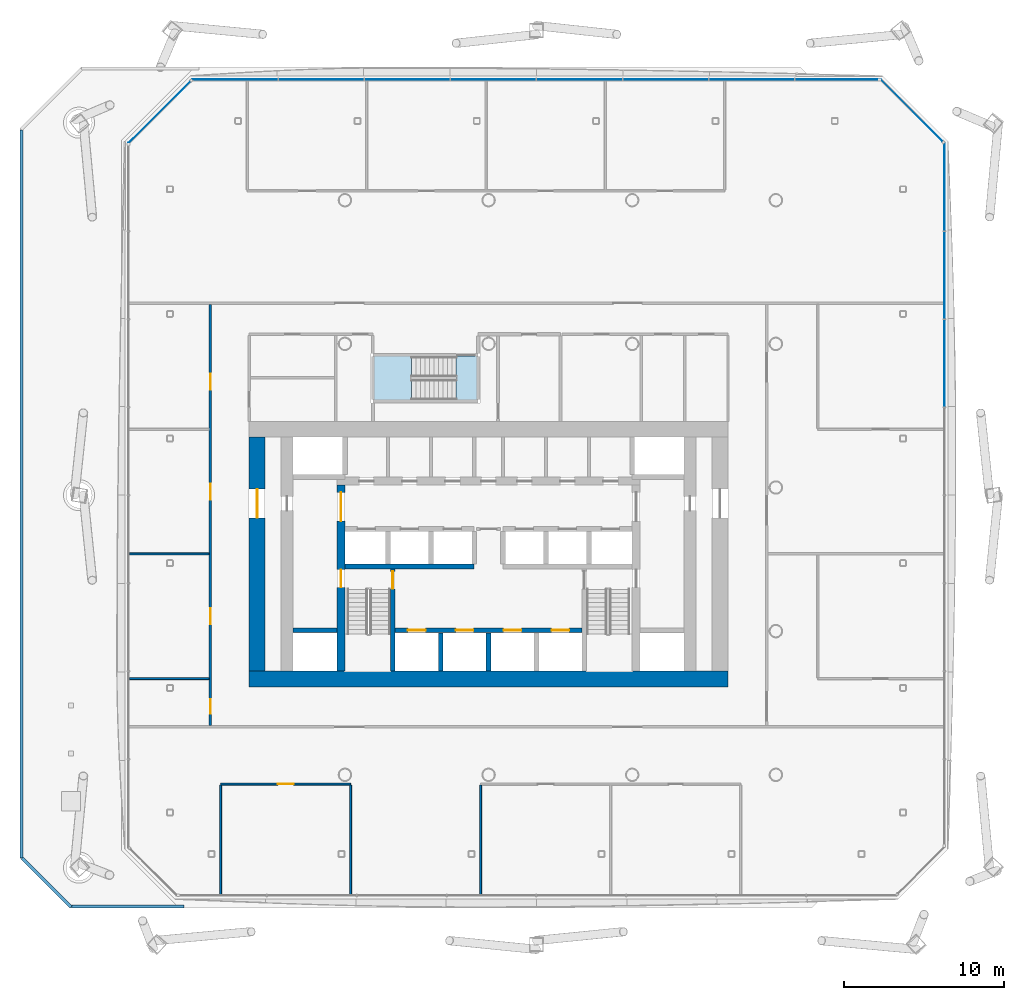
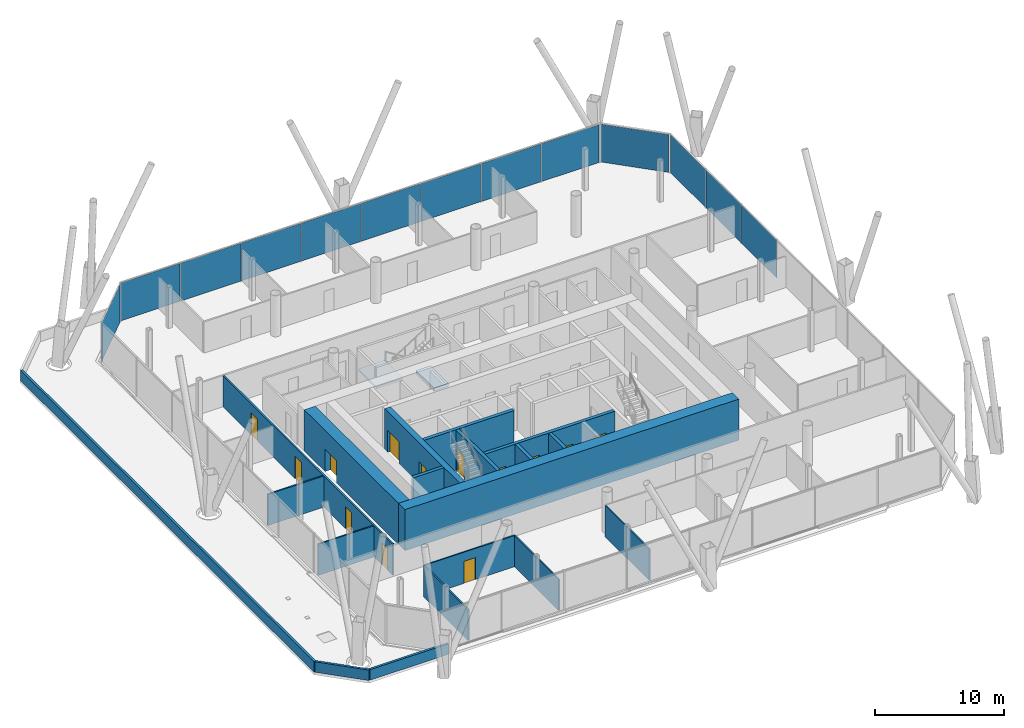
# One storey, part 13 of 23: 19 walls, 13 doors, 13 plates, 2 slabs, 13 openings, 5 elements without a shape of their own.
"""IFC4 building model written with IfcOpenShell, lengths in metres."""

import ifcopenshell
import ifcopenshell.guid

model = None  # the IFC model being written
_history = None  # IfcOwnerHistory: only IFC2X3 demands one
_inside = {}  # id of a spatial element -> (the spatial element, [elements in it])
_under = {}  # id of a project, library or spatial element -> (it, [spatial elements below it])
_declared = {}  # id of a project -> (the project, [libraries it declares])
_typed = {}  # id of a type object -> (the type object, [elements of that type])
_made_of = {}  # id of a material, layer set ... -> (it, [elements and type objects made of it])


def new_model(schema):
    """Start an empty IFC model of exactly this schema.

    Asked for "IFC4X3", IfcOpenShell would pick the latest addendum, in which some entities
    have other attributes; the version numbers below select the first issue.
    IFC2X3 requires an IfcOwnerHistory on every rooted entity: one is made here for all.
    """
    global model, _history
    if schema == "IFC4X3":
        model = ifcopenshell.file(schema_version=(4, 3, 0, 0))
    else:
        model = ifcopenshell.file(schema=schema)
    _inside.clear()
    _under.clear()
    _declared.clear()
    _typed.clear()
    _made_of.clear()
    _history = None
    if model.schema == "IFC2X3":
        org = make("IfcOrganization", Name="unknown")
        user = make(
            "IfcPersonAndOrganization",
            ThePerson=make("IfcPerson", FamilyName="unknown"),
            TheOrganization=org,
        )
        app = make(
            "IfcApplication",
            ApplicationDeveloper=org,
            Version="unknown",
            ApplicationFullName="unknown",
            ApplicationIdentifier="unknown",
        )
        _history = make(
            "IfcOwnerHistory",
            OwningUser=user,
            OwningApplication=app,
            ChangeAction="ADDED",
            CreationDate=0,
        )
    return model


def make(cls, **values):
    """One entity of the class cls with the attributes given. An attribute that is None is left unset."""
    return model.create_entity(
        cls, **{name: value for name, value in values.items() if value is not None}
    )


def rooted(cls, **values):
    """An entity with a GlobalId (a new one), such as an element, a storey or a relation."""
    return make(cls, GlobalId=ifcopenshell.guid.new(), OwnerHistory=_history, **values)


def si_unit(unit_type, name, prefix=None):
    """IfcSIUnit, for example si_unit("LENGTHUNIT", "METRE", prefix="MILLI")."""
    return make("IfcSIUnit", UnitType=unit_type, Prefix=prefix, Name=name)


def assignment(units):
    """IfcUnitAssignment: the units of a project."""
    return None if units is None else make("IfcUnitAssignment", Units=units)


def point(xyz):
    """IfcCartesianPoint."""
    return None if xyz is None else make("IfcCartesianPoint", Coordinates=xyz)


def direction(xyz):
    """IfcDirection."""
    return None if xyz is None else make("IfcDirection", DirectionRatios=xyz)


def frame(location, z_axis=None, x_axis=None):
    """IfcAxis2Placement3D, a coordinate frame: its origin and axes. An axis left out is left unset."""
    return make(
        "IfcAxis2Placement3D",
        Location=point(location),
        Axis=direction(z_axis),
        RefDirection=direction(x_axis),
    )


def frame_2d(location, x_axis=None):
    """IfcAxis2Placement2D, a coordinate frame in the plane: its origin and x axis."""
    return make(
        "IfcAxis2Placement2D", Location=point(location), RefDirection=direction(x_axis)
    )


def origin():
    """The frame at (0, 0, 0) with its axes left unset."""
    return frame((0.0, 0.0, 0.0))


def origin_2d():
    """The frame at (0, 0) in the plane with its x axis left unset."""
    return frame_2d((0.0, 0.0))


def place(relative_to, where):
    """IfcLocalPlacement: puts the frame where relative to a parent placement (None: the world)."""
    return make(
        "IfcLocalPlacement", PlacementRelTo=relative_to, RelativePlacement=where
    )


def context(
    kind, dimensions, precision=None, world=None, true_north=None, identifier=None
):
    """IfcGeometricRepresentationContext, for example the 3D "Model" context."""
    return make(
        "IfcGeometricRepresentationContext",
        ContextIdentifier=identifier,
        ContextType=kind,
        CoordinateSpaceDimension=dimensions,
        Precision=precision,
        WorldCoordinateSystem=world,
        TrueNorth=true_north,
    )


def subcontext(parent, identifier, kind, view, scale=None):
    """IfcGeometricRepresentationSubContext, for example "Body" below "Model"."""
    return make(
        "IfcGeometricRepresentationSubContext",
        ContextIdentifier=identifier,
        ContextType=kind,
        ParentContext=parent,
        TargetScale=scale,
        TargetView=view,
    )


def project(units=None, contexts=None):
    """IfcProject with its units and contexts."""
    return rooted(
        "IfcProject",
        Name="project",
        RepresentationContexts=contexts,
        UnitsInContext=assignment(units),
    )


def spatial(cls, under=None, at=None, **own):
    """A site, building, storey or space (cls), placed at a placement, below another one or the project."""
    s = rooted(cls, ObjectPlacement=at, **own)
    if under is not None:
        _under.setdefault(under.id(), (under, []))[1].append(s)
    return s


def polyline(points):
    """IfcPolyline through the points."""
    return make("IfcPolyline", Points=[point(p) for p in points])


def profile(cls, at=None, kind="AREA", **sizes):
    """A parametric profile (cls). Its sizes go by their IFC names, for example OverallWidth=200.0."""
    return make(cls, ProfileType=kind, Position=at, **sizes)


def rectangle(**sizes):
    """IfcRectangleProfileDef."""
    return profile("IfcRectangleProfileDef", **sizes)


def outline(outer, holes=None, kind="AREA"):
    """IfcArbitraryClosedProfileDef: a profile drawn as a closed curve; with holes, ...WithVoids."""
    if holes is None:
        return make("IfcArbitraryClosedProfileDef", ProfileType=kind, OuterCurve=outer)
    return make(
        "IfcArbitraryProfileDefWithVoids",
        ProfileType=kind,
        OuterCurve=outer,
        InnerCurves=holes,
    )


def extrude(swept, where, along, depth):
    """IfcExtrudedAreaSolid: the profile swept, set in the frame where, extruded along a direction by depth."""
    return make(
        "IfcExtrudedAreaSolid",
        SweptArea=swept,
        Position=where,
        ExtrudedDirection=direction(along),
        Depth=depth,
    )


def shape(context_of_items, identifier, shape_type, items):
    """IfcShapeRepresentation: the items that make up one representation, for example the "Body"."""
    return make(
        "IfcShapeRepresentation",
        ContextOfItems=context_of_items,
        RepresentationIdentifier=identifier,
        RepresentationType=shape_type,
        Items=items,
    )


def material(Name=None, Category=None):
    """IfcMaterial."""
    return make("IfcMaterial", Name=Name, Category=Category)


def layer(
    of_material, thickness, ventilated=None, Name=None, Category=None, Priority=None
):
    """IfcMaterialLayer: one layer of a wall or slab, of a material (None: an air gap)."""
    return make(
        "IfcMaterialLayer",
        Material=of_material,
        LayerThickness=thickness,
        IsVentilated=ventilated,
        Name=Name,
        Category=Category,
        Priority=Priority,
    )


def layer_set(layers, Name=None):
    """IfcMaterialLayerSet."""
    return make("IfcMaterialLayerSet", MaterialLayers=layers, LayerSetName=Name)


def made_of(thing, what):
    """Note that an element or type object is made of a material, layer set ...; save() writes the relation."""
    if what is not None:
        _made_of.setdefault(what.id(), (what, []))[1].append(thing)
    return thing


def type_object(cls, material=None, **own):
    """A type object (cls), such as IfcWallType, which elements share."""
    return made_of(rooted(cls, **own), material)


def element(
    cls,
    number,
    at=None,
    inside=None,
    cuts=None,
    type_object=None,
    material=None,
    context=None,
    identifier="Body",
    shape_type=None,
    held_by="IfcProductDefinitionShape",
    body=None,
    shapes=None,
    **own,
):
    """One element of the class cls, such as IfcWall. Its Tag is "e" and its number.

    at: its placement. inside: the storey or other place that contains it. cuts: it is an
    opening in that element (IfcRelVoidsElement). A single representation is given by context,
    identifier, shape_type and body (its items); several are given by shapes. held_by: the class
    of the entity that holds the representations. save() writes the other relations.
    """
    e = rooted(cls, Tag="e%d" % number, ObjectPlacement=at, **own)
    if body is not None:
        shapes = [shape(context, identifier, shape_type, body)]
    if shapes is not None:
        e.Representation = make(held_by, Representations=shapes)
    if inside is not None:
        _inside.setdefault(inside.id(), (inside, []))[1].append(e)
    if cuts is not None:
        rooted(
            "IfcRelVoidsElement", RelatingBuildingElement=cuts, RelatedOpeningElement=e
        )
    if type_object is not None:
        _typed.setdefault(type_object.id(), (type_object, []))[1].append(e)
    return made_of(e, material)


def fill(opening, filler):
    """IfcRelFillsElement: the door or window that sits in an opening."""
    return rooted(
        "IfcRelFillsElement",
        RelatingOpeningElement=opening,
        RelatedBuildingElement=filler,
    )


def aggregate(whole, parts):
    """IfcRelAggregates: a whole, such as a stair, and the parts it consists of."""
    return rooted("IfcRelAggregates", RelatingObject=whole, RelatedObjects=parts)


def save(model, path):
    """Write the relations noted so far, then the file.

    IfcRelAggregates (storeys below a building ...), IfcRelContainedInSpatialStructure (elements
    in a storey), IfcRelDefinesByType, IfcRelAssociatesMaterial and IfcRelDeclares: one each for
    every whole, place, type object, material and project.
    """
    for whole, parts in _under.values():
        aggregate(whole, parts)
    for where, things in _inside.values():
        rooted(
            "IfcRelContainedInSpatialStructure",
            RelatedElements=things,
            RelatingStructure=where,
        )
    for kind, things in _typed.values():
        rooted("IfcRelDefinesByType", RelatedObjects=things, RelatingType=kind)
    for what, things in _made_of.values():
        rooted("IfcRelAssociatesMaterial", RelatedObjects=things, RelatingMaterial=what)
    for by, libraries in _declared.values():
        rooted("IfcRelDeclares", RelatingContext=by, RelatedDefinitions=libraries)
    model.write(path)


model = new_model("IFC4")

# Units and contexts
model_context = context("Model", 3, precision=1e-05, world=origin(), true_north=direction((0.0, 1.0)))
body_context = subcontext(model_context, "Body", "Model", "MODEL_VIEW")
ifc_project = project(units=[si_unit("LENGTHUNIT", "METRE"), si_unit("AREAUNIT", "SQUARE_METRE"), si_unit("VOLUMEUNIT", "CUBIC_METRE"), si_unit("PLANEANGLEUNIT", "RADIAN"), si_unit("MASSUNIT", "GRAM", prefix="KILO")], contexts=[model_context])

# Site, building, storey
site_placement = place(None, origin())
site = spatial("IfcSite", under=ifc_project, at=site_placement, CompositionType="ELEMENT")
building_placement = place(site_placement, origin())
building = spatial("IfcBuilding", under=site, at=building_placement, Name="Tskaro Facet Tower", CompositionType="ELEMENT")
storey_placement = place(building_placement, frame((0.0, 0.0, 62.10009765625)))
storey = spatial("IfcBuildingStorey", under=building, at=storey_placement, Name="L14", CompositionType="ELEMENT", Elevation=62.10009765625)

# Curtain wall, plates
ifc_material_1 = material(Name="Bronze anodised aluminium 6063-T6", Category="aluminium")
curtain_wall_type = type_object("IfcCurtainWallType", Name="Bronze office curtain wall (FW1)", PredefinedType="NOTDEFINED", material=ifc_material_1)
curtain_wall_1_placement = place(storey_placement, origin())
curtain_wall_1 = element("IfcCurtainWall", 1, at=curtain_wall_1_placement, inside=storey, type_object=curtain_wall_type, Name="FW1 east facet L14", PredefinedType="NOTDEFINED")
ifc_material_2 = material(Name="Bronze tinted glass", Category="glass")
ifc_layer_1 = layer(ifc_material_2, 0.031982421875, Name="Bronze tinted glass")
ifc_layer_set_1 = layer_set([ifc_layer_1], Name="Bronze tinted glass")
plate_type = type_object("IfcPlateType", Name="FW1 bronze-tinted unit glazing 32", PredefinedType="CURTAIN_PANEL", material=ifc_layer_set_1)
plate_1_placement = place(storey_placement, frame((28.55908203125, 7.791259765625, -0.000244140625), z_axis=(0.0, 0.0, 1.0), x_axis=(0.0, 1.0, 0.0)))
plate_1 = element("IfcPlate", 2, at=plate_1_placement, type_object=plate_type, Name="FW1 east glazing 6.1", PredefinedType="CURTAIN_PANEL", context=body_context, shape_type="SweptSolid", body=[
    extrude(rectangle(XDim=5.453125, YDim=0.031982421875, at=origin_2d()), origin(), (0.0, 0.0, 1.0), 3.60009765625),
])
plate_2_placement = place(storey_placement, frame((28.55908203125, 13.30419921875, -0.000244140625), z_axis=(0.0, 0.0, 1.0), x_axis=(0.0, 1.0, 0.0)))
plate_2 = element("IfcPlate", 3, at=plate_2_placement, type_object=plate_type, Name="FW1 east glazing 7.1", PredefinedType="CURTAIN_PANEL", context=body_context, shape_type="SweptSolid", body=[
    extrude(rectangle(XDim=5.453125, YDim=0.031982421875, at=origin_2d()), origin(), (0.0, 0.0, 1.0), 3.60009765625),
])
plate_3_placement = place(storey_placement, frame((28.55908203125, 18.83251953125, -0.000244140625), z_axis=(0.0, 0.0, 1.0), x_axis=(0.0, 1.0, 0.0)))
plate_3 = element("IfcPlate", 4, at=plate_3_placement, type_object=plate_type, Name="FW1 east glazing 8.1", PredefinedType="CURTAIN_PANEL", context=body_context, shape_type="SweptSolid", body=[
    extrude(rectangle(XDim=5.483154296875, YDim=0.031982421875, at=origin_2d()), origin(), (0.0, 0.0, 1.0), 3.60009765625),
])
aggregate(curtain_wall_1, [plate_1, plate_2, plate_3])

# Curtain wall, plate
curtain_wall_2_placement = place(storey_placement, origin())
curtain_wall_2 = element("IfcCurtainWall", 5, at=curtain_wall_2_placement, inside=storey, type_object=curtain_wall_type, Name="FW1 north-east facet L14", PredefinedType="NOTDEFINED")
plate_4_placement = place(storey_placement, frame((26.510009765625, 23.623046875, -0.000244140625), z_axis=(0.0, 0.0, 1.0), x_axis=(-0.707106781187, 0.707106781187, 0.0)))
plate_4 = element("IfcPlate", 6, at=plate_4_placement, type_object=plate_type, Name="FW1 north-east glazing 1.1", PredefinedType="CURTAIN_PANEL", context=body_context, shape_type="SweptSolid", body=[
    extrude(rectangle(XDim=5.4755859375, YDim=0.031982421875, at=origin_2d()), origin(), (0.0, 0.0, 1.0), 3.60009765625),
])
aggregate(curtain_wall_2, [plate_4])

# Curtain wall, plates
curtain_wall_3_placement = place(storey_placement, origin())
curtain_wall_3 = element("IfcCurtainWall", 7, at=curtain_wall_3_placement, inside=storey, type_object=curtain_wall_type, Name="FW1 north facet L14", PredefinedType="NOTDEFINED")
plate_5_placement = place(storey_placement, frame((21.812255859375, 25.55908203125, -0.000244140625), z_axis=(0.0, 0.0, 1.0), x_axis=(-1.0, 0.0, 0.0)))
plate_5 = element("IfcPlate", 8, at=plate_5_placement, type_object=plate_type, Name="FW1 north glazing 1.1", PredefinedType="CURTAIN_PANEL", context=body_context, shape_type="SweptSolid", body=[
    extrude(rectangle(XDim=5.20361328125, YDim=0.031982421875, at=origin_2d()), origin(), (0.0, 0.0, 1.0), 3.60009765625),
])
plate_6_placement = place(storey_placement, frame((16.483642578125, 25.55908203125, -0.000244140625), z_axis=(0.0, 0.0, 1.0), x_axis=(-1.0, 0.0, 0.0)))
plate_6 = element("IfcPlate", 9, at=plate_6_placement, type_object=plate_type, Name="FW1 north glazing 2.1", PredefinedType="CURTAIN_PANEL", context=body_context, shape_type="SweptSolid", body=[
    extrude(rectangle(XDim=5.33349609375, YDim=0.031982421875, at=origin_2d()), origin(), (0.0, 0.0, 1.0), 3.60009765625),
])
plate_7_placement = place(storey_placement, frame((11.09033203125, 25.55908203125, -0.000244140625), z_axis=(0.0, 0.0, 1.0), x_axis=(-1.0, 0.0, 0.0)))
plate_7 = element("IfcPlate", 10, at=plate_7_placement, type_object=plate_type, Name="FW1 north glazing 3.1", PredefinedType="CURTAIN_PANEL", context=body_context, shape_type="SweptSolid", body=[
    extrude(rectangle(XDim=5.33349609375, YDim=0.031982421875, at=origin_2d()), origin(), (0.0, 0.0, 1.0), 3.60009765625),
])
plate_8_placement = place(storey_placement, frame((5.69677734375, 25.55908203125, -0.000244140625), z_axis=(0.0, 0.0, 1.0), x_axis=(-1.0, 0.0, 0.0)))
plate_8 = element("IfcPlate", 11, at=plate_8_placement, type_object=plate_type, Name="FW1 north glazing 4.1", PredefinedType="CURTAIN_PANEL", context=body_context, shape_type="SweptSolid", body=[
    extrude(rectangle(XDim=5.33349609375, YDim=0.031982421875, at=origin_2d()), origin(), (0.0, 0.0, 1.0), 3.60009765625),
])
plate_9_placement = place(storey_placement, frame((0.30322265625, 25.55908203125, -0.000244140625), z_axis=(0.0, 0.0, 1.0), x_axis=(-1.0, 0.0, 0.0)))
plate_9 = element("IfcPlate", 12, at=plate_9_placement, type_object=plate_type, Name="FW1 north glazing 5.1", PredefinedType="CURTAIN_PANEL", context=body_context, shape_type="SweptSolid", body=[
    extrude(rectangle(XDim=5.33349609375, YDim=0.031982421875, at=origin_2d()), origin(), (0.0, 0.0, 1.0), 3.60009765625),
])
plate_10_placement = place(storey_placement, frame((-5.09033203125, 25.55908203125, -0.000244140625), z_axis=(0.0, 0.0, 1.0), x_axis=(-1.0, 0.0, 0.0)))
plate_10 = element("IfcPlate", 13, at=plate_10_placement, type_object=plate_type, Name="FW1 north glazing 6.1", PredefinedType="CURTAIN_PANEL", context=body_context, shape_type="SweptSolid", body=[
    extrude(rectangle(XDim=5.33349609375, YDim=0.031982421875, at=origin_2d()), origin(), (0.0, 0.0, 1.0), 3.60009765625),
])
plate_11_placement = place(storey_placement, frame((-10.483642578125, 25.55908203125, -0.000244140625), z_axis=(0.0, 0.0, 1.0), x_axis=(-1.0, 0.0, 0.0)))
plate_11 = element("IfcPlate", 14, at=plate_11_placement, type_object=plate_type, Name="FW1 north glazing 7.1", PredefinedType="CURTAIN_PANEL", context=body_context, shape_type="SweptSolid", body=[
    extrude(rectangle(XDim=5.33349609375, YDim=0.031982421875, at=origin_2d()), origin(), (0.0, 0.0, 1.0), 3.60009765625),
])
plate_12_placement = place(storey_placement, frame((-15.892333984375, 25.55908203125, -0.000244140625), z_axis=(0.0, 0.0, 1.0), x_axis=(-1.0, 0.0, 0.0)))
plate_12 = element("IfcPlate", 15, at=plate_12_placement, type_object=plate_type, Name="FW1 north glazing 8.1", PredefinedType="CURTAIN_PANEL", context=body_context, shape_type="SweptSolid", body=[
    extrude(rectangle(XDim=5.363525390625, YDim=0.031982421875, at=origin_2d()), origin(), (0.0, 0.0, 1.0), 3.60009765625),
])
aggregate(curtain_wall_3, [plate_5, plate_6, plate_7, plate_8, plate_9, plate_10, plate_11, plate_12])

# Curtain wall, plate
curtain_wall_4_placement = place(storey_placement, origin())
curtain_wall_4 = element("IfcCurtainWall", 16, at=curtain_wall_4_placement, inside=storey, type_object=curtain_wall_type, Name="FW1 north-west facet L14", PredefinedType="NOTDEFINED")
plate_13_placement = place(storey_placement, frame((-20.623046875, 23.510009765625, -0.000244140625), z_axis=(0.0, 0.0, 1.0), x_axis=(-0.707106781187, -0.707106781187, 0.0)))
plate_13 = element("IfcPlate", 17, at=plate_13_placement, type_object=plate_type, Name="FW1 north-west glazing 1.1", PredefinedType="CURTAIN_PANEL", context=body_context, shape_type="SweptSolid", body=[
    extrude(rectangle(XDim=5.4755859375, YDim=0.031982421875, at=origin_2d()), origin(), (0.0, 0.0, 1.0), 3.60009765625),
])
aggregate(curtain_wall_4, [plate_13])

# Stair, slab
ifc_material_3 = material(Name="Concrete C40/50", Category="concrete")
stair_type = type_object("IfcStairType", Name="ST-TWR", PredefinedType="HALF_TURN_STAIR", material=ifc_material_3)
stair_placement = place(storey_placement, origin())
stair = element("IfcStair", 18, at=stair_placement, inside=storey, type_object=stair_type, Name="L14 Exit stair 3", PredefinedType="HALF_TURN_STAIR")
ifc_layer_2 = layer(ifc_material_3, 0.199951171875, Name="Concrete C40/50")
ifc_layer_set_2 = layer_set([ifc_layer_2], Name="Concrete C40/50")
slab_type_1 = type_object("IfcSlabType", Name="SL-LANDING", PredefinedType="LANDING", material=ifc_layer_set_2)
slab_1_placement = place(storey_placement, frame((0.0, 0.0, 1.75)))
slab_1 = element("IfcSlab", 19, at=slab_1_placement, type_object=slab_type_1, Name="ST-3 landing 1", PredefinedType="LANDING", context=body_context, shape_type="SweptSolid", body=[
    extrude(outline(polyline([(-7.199951171875, 5.449951171875), (-4.824951171875, 5.449951171875), (-4.824951171875, 8.25), (-7.199951171875, 8.25), (-7.199951171875, 5.449951171875)])), origin(), (0.0, 0.0, 1.0), 0.199951171875),
])
aggregate(stair, [slab_1])

# Slab
ifc_material_4 = material(Name="Concrete C60/75", Category="concrete")
ifc_layer_3 = layer(ifc_material_4, 0.300048828125, Name="Concrete C60/75")
ifc_layer_set_3 = layer_set([ifc_layer_3], Name="Concrete C60/75")
slab_type_2 = type_object("IfcSlabType", Name="SLAB-CORE", PredefinedType="FLOOR", material=ifc_layer_set_3)
slab_2_placement = place(storey_placement, frame((0.0, 0.0, -0.300048828125)))
element("IfcSlab", 20, at=slab_2_placement, inside=storey, type_object=slab_type_2, Name="Stair 3 floor landing 1", PredefinedType="FLOOR", context=body_context, shape_type="SweptSolid", body=[
    extrude(outline(polyline([(-2.02490234375, 5.449951171875), (-0.699951171875, 5.449951171875), (-0.699951171875, 8.25), (-2.02490234375, 8.25), (-2.02490234375, 5.449951171875)])), origin(), (0.0, 0.0, 1.0), 0.300048828125),
])

# Wall
ifc_layer_4 = layer(ifc_material_4, 0.300048828125, Name="Concrete C60/75")
ifc_layer_set_4 = layer_set([ifc_layer_4], Name="Concrete C60/75")
wall_type_1 = type_object("IfcWallType", Name="CORE-SHAFT", PredefinedType="SHEAR", material=ifc_layer_set_4)
wall_1_placement = place(storey_placement, frame((-12.25, -8.949951171875, 0.0), z_axis=(0.0, 0.0, 1.0), x_axis=(1.0, 0.0, 0.0)))
element("IfcWall", 21, at=wall_1_placement, inside=storey, type_object=wall_type_1, Name="Shaft wall W006", PredefinedType="SHEAR", context=body_context, shape_type="SweptSolid", body=[
    extrude(rectangle(XDim=2.75, YDim=0.300048828125, at=frame_2d((1.375, 0.0))), origin(), (0.0, 0.0, 1.0), 3.89990234375),
])

# Wall, openings, doors
wall_2_placement = place(storey_placement, frame((-5.85009765625, -8.949951171875, 0.0), z_axis=(0.0, 0.0, 1.0), x_axis=(1.0, 0.0, 0.0)))
wall_2 = element("IfcWall", 22, at=wall_2_placement, inside=storey, type_object=wall_type_1, Name="Shaft wall W007", PredefinedType="SHEAR", context=body_context, shape_type="SweptSolid", body=[
    extrude(rectangle(XDim=11.7001953125, YDim=0.300048828125, at=frame_2d((5.85009765625, 0.0))), origin(), (0.0, 0.0, 1.0), 3.89990234375),
])
opening_1_placement = place(wall_2_placement, frame((0.800048828125, 0.0, 0.0)))
opening_1 = element("IfcOpeningElement", 23, at=opening_1_placement, cuts=wall_2, Name="Opening LD-FF1", PredefinedType="OPENING", context=body_context, shape_type="SweptSolid", body=[
    extrude(rectangle(XDim=1.10009765625, YDim=2.10009765625, at=frame_2d((0.550048828125, 1.050048828125))), frame((0.0, 0.159912109375, 0.0), z_axis=(0.0, -1.0, 0.0), x_axis=(1.0, 0.0, 0.0)), (0.0, 0.0, 1.0), 0.320068359375),
])
opening_2_placement = place(wall_2_placement, frame((3.800048828125, 0.0, 0.0)))
opening_2 = element("IfcOpeningElement", 24, at=opening_2_placement, cuts=wall_2, Name="Opening LD-FF2", PredefinedType="OPENING", context=body_context, shape_type="SweptSolid", body=[
    extrude(rectangle(XDim=1.10009765625, YDim=2.10009765625, at=frame_2d((0.550048828125, 1.050048828125))), frame((0.0, 0.159912109375, 0.0), z_axis=(0.0, -1.0, 0.0), x_axis=(1.0, 0.0, 0.0)), (0.0, 0.0, 1.0), 0.320068359375),
])
opening_3_placement = place(wall_2_placement, frame((6.800048828125, 0.0, 0.0)))
opening_3 = element("IfcOpeningElement", 25, at=opening_3_placement, cuts=wall_2, Name="Opening LD-SV1", PredefinedType="OPENING", context=body_context, shape_type="SweptSolid", body=[
    extrude(rectangle(XDim=1.10009765625, YDim=2.10009765625, at=frame_2d((0.550048828125, 1.050048828125))), frame((0.0, 0.159912109375, 0.0), z_axis=(0.0, -1.0, 0.0), x_axis=(1.0, 0.0, 0.0)), (0.0, 0.0, 1.0), 0.320068359375),
])
opening_4_placement = place(wall_2_placement, frame((9.800048828125, 0.0, 0.0)))
opening_4 = element("IfcOpeningElement", 26, at=opening_4_placement, cuts=wall_2, Name="Opening LD-SV2", PredefinedType="OPENING", context=body_context, shape_type="SweptSolid", body=[
    extrude(rectangle(XDim=1.10009765625, YDim=2.10009765625, at=frame_2d((0.550048828125, 1.050048828125))), frame((0.0, 0.159912109375, 0.0), z_axis=(0.0, -1.0, 0.0), x_axis=(1.0, 0.0, 0.0)), (0.0, 0.0, 1.0), 0.320068359375),
])
ifc_material_5 = material(Name="Stainless steel", Category="steel")
door_type_1 = type_object("IfcDoorType", Name="D-LANDING", OperationType="NOTDEFINED", PredefinedType="DOOR", material=ifc_material_5)
door_1_placement = place(opening_1_placement, origin())
door_1 = element("IfcDoor", 27, at=door_1_placement, inside=storey, type_object=door_type_1, Name="Landing door FF1", OperationType="DOUBLE_DOOR_SLIDING", OverallHeight=2.10009765625, OverallWidth=1.10009765625, PredefinedType="DOOR", context=body_context, shape_type="SweptSolid", body=[
    extrude(rectangle(XDim=1.10009765625, YDim=2.10009765625, at=frame_2d((0.550048828125, 1.050048828125))), frame((0.0, 0.02490234375, 0.0), z_axis=(0.0, -1.0, 0.0), x_axis=(1.0, 0.0, 0.0)), (0.0, 0.0, 1.0), 0.050048828125),
])
fill(opening_1, door_1)
door_2_placement = place(opening_2_placement, origin())
door_2 = element("IfcDoor", 28, at=door_2_placement, inside=storey, type_object=door_type_1, Name="Landing door FF2", OperationType="DOUBLE_DOOR_SLIDING", OverallHeight=2.10009765625, OverallWidth=1.10009765625, PredefinedType="DOOR", context=body_context, shape_type="SweptSolid", body=[
    extrude(rectangle(XDim=1.10009765625, YDim=2.10009765625, at=frame_2d((0.550048828125, 1.050048828125))), frame((0.0, 0.02490234375, 0.0), z_axis=(0.0, -1.0, 0.0), x_axis=(1.0, 0.0, 0.0)), (0.0, 0.0, 1.0), 0.050048828125),
])
fill(opening_2, door_2)
door_3_placement = place(opening_3_placement, origin())
door_3 = element("IfcDoor", 29, at=door_3_placement, inside=storey, type_object=door_type_1, Name="Landing door SV1", OperationType="DOUBLE_DOOR_SLIDING", OverallHeight=2.10009765625, OverallWidth=1.10009765625, PredefinedType="DOOR", context=body_context, shape_type="SweptSolid", body=[
    extrude(rectangle(XDim=1.10009765625, YDim=2.10009765625, at=frame_2d((0.550048828125, 1.050048828125))), frame((0.0, 0.02490234375, 0.0), z_axis=(0.0, -1.0, 0.0), x_axis=(1.0, 0.0, 0.0)), (0.0, 0.0, 1.0), 0.050048828125),
])
fill(opening_3, door_3)
door_4_placement = place(opening_4_placement, origin())
door_4 = element("IfcDoor", 30, at=door_4_placement, inside=storey, type_object=door_type_1, Name="Landing door SV2", OperationType="DOUBLE_DOOR_SLIDING", OverallHeight=2.10009765625, OverallWidth=1.10009765625, PredefinedType="DOOR", context=body_context, shape_type="SweptSolid", body=[
    extrude(rectangle(XDim=1.10009765625, YDim=2.10009765625, at=frame_2d((0.550048828125, 1.050048828125))), frame((0.0, 0.02490234375, 0.0), z_axis=(0.0, -1.0, 0.0), x_axis=(1.0, 0.0, 0.0)), (0.0, 0.0, 1.0), 0.050048828125),
])
fill(opening_4, door_4)

# Wall
wall_3_placement = place(storey_placement, frame((-9.0, -4.949951171875, 0.0), z_axis=(0.0, 0.0, 1.0), x_axis=(1.0, 0.0, 0.0)))
element("IfcWall", 31, at=wall_3_placement, inside=storey, type_object=wall_type_1, Name="Shaft wall W009", PredefinedType="SHEAR", context=body_context, shape_type="SweptSolid", body=[
    extrude(rectangle(XDim=8.10009765625, YDim=0.300048828125, at=frame_2d((4.050048828125, 0.0))), origin(), (0.0, 0.0, 1.0), 3.89990234375),
])

# Wall, opening, door
wall_4_placement = place(storey_placement, frame((-6.0, -11.5, 0.0), z_axis=(0.0, 0.0, 1.0), x_axis=(0.0, 1.0, 0.0)))
wall_4 = element("IfcWall", 32, at=wall_4_placement, inside=storey, type_object=wall_type_1, Name="Shaft wall W041", PredefinedType="SHEAR", context=body_context, shape_type="SweptSolid", body=[
    extrude(rectangle(XDim=6.39990234375, YDim=0.300048828125, at=frame_2d((3.199951171875, 0.0))), origin(), (0.0, 0.0, 1.0), 3.89990234375),
])
opening_5_placement = place(wall_4_placement, frame((5.14990234375, 0.0, 0.0)))
opening_5 = element("IfcOpeningElement", 33, at=opening_5_placement, cuts=wall_4, Name="Opening ST-1-D1", PredefinedType="OPENING", context=body_context, shape_type="SweptSolid", body=[
    extrude(rectangle(XDim=1.10009765625, YDim=2.10009765625, at=frame_2d((0.550048828125, 1.050048828125))), frame((0.0, 0.159912109375, 0.0), z_axis=(0.0, -1.0, 0.0), x_axis=(1.0, 0.0, 0.0)), (0.0, 0.0, 1.0), 0.320068359375),
])
ifc_material_6 = material(Name="Steel", Category="steel")
door_type_2 = type_object("IfcDoorType", Name="D-STAIR", OperationType="NOTDEFINED", PredefinedType="DOOR", material=ifc_material_6)
door_5_placement = place(opening_5_placement, origin())
door_5 = element("IfcDoor", 34, at=door_5_placement, inside=storey, type_object=door_type_2, Name="Stair door 1", OperationType="SINGLE_SWING_LEFT", OverallHeight=2.10009765625, OverallWidth=1.10009765625, PredefinedType="DOOR", context=body_context, shape_type="SweptSolid", body=[
    extrude(rectangle(XDim=1.10009765625, YDim=2.10009765625, at=frame_2d((0.550048828125, 1.050048828125))), frame((0.0, 0.02490234375, 0.0), z_axis=(0.0, -1.0, 0.0), x_axis=(1.0, 0.0, 0.0)), (0.0, 0.0, 1.0), 0.050048828125),
])
fill(opening_5, door_5)

# Walls
for number, where, z_axis, x_axis, name in (
    (35, (-3.0, -11.5, 0.0), (0.0, 0.0, 1.0), (0.0, 1.0, 0.0), "Shaft wall W044"),
    (36, (0.0, -11.5, 0.0), (0.0, 0.0, 1.0), (0.0, 1.0, 0.0), "Shaft wall W051"),
):
    element("IfcWall", number, at=place(storey_placement, frame(where, z_axis=z_axis, x_axis=x_axis)), inside=storey, type_object=wall_type_1, Name=name, PredefinedType="SHEAR", context=body_context, shape_type="SweptSolid", body=[
        extrude(rectangle(XDim=2.39990234375, YDim=0.300048828125, at=frame_2d((1.199951171875, 0.0))), origin(), (0.0, 0.0, 1.0), 3.89990234375),
    ])
ifc_layer_5 = layer(ifc_material_4, 1.0, Name="Concrete C60/75")
ifc_layer_set_5 = layer_set([ifc_layer_5], Name="Concrete C60/75")
wall_type_2 = type_object("IfcWallType", Name="Core wall 1000", PredefinedType="SHEAR", material=ifc_layer_set_5)
wall_5_placement = place(storey_placement, frame((-15.0, -12.0, 0.0), z_axis=(0.0, 0.0, 1.0), x_axis=(1.0, 0.0, 0.0)))
element("IfcWall", 37, at=wall_5_placement, inside=storey, type_object=wall_type_2, Name="Core wall CW-Z1S", PredefinedType="SHEAR", context=body_context, shape_type="SweptSolid", body=[
    extrude(rectangle(XDim=30.0, YDim=1.0, at=frame_2d((15.0, 0.0))), origin(), (0.0, 0.0, 1.0), 3.89990234375),
])

# Wall, opening, door
wall_6_placement = place(storey_placement, frame((-14.5, -11.5, 0.0), z_axis=(0.0, 0.0, 1.0), x_axis=(0.0, 1.0, 0.0)))
wall_6 = element("IfcWall", 38, at=wall_6_placement, inside=storey, type_object=wall_type_2, Name="Core wall CW-Z1W", PredefinedType="SHEAR", context=body_context, shape_type="SweptSolid", body=[
    extrude(rectangle(XDim=14.64990234375, YDim=1.0, at=frame_2d((7.324951171875, 0.0))), origin(), (0.0, 0.0, 1.0), 3.89990234375),
])
opening_6_placement = place(wall_6_placement, frame((9.60009765625, 0.0, 0.0)))
opening_6 = element("IfcOpeningElement", 39, at=opening_6_placement, cuts=wall_6, Name="Opening T4-D15", PredefinedType="OPENING", context=body_context, shape_type="SweptSolid", body=[
    extrude(rectangle(XDim=1.800048828125, YDim=2.10009765625, at=frame_2d((0.89990234375, 1.050048828125))), frame((0.0, 0.510009765625, 0.0), z_axis=(0.0, -1.0, 0.0), x_axis=(1.0, 0.0, 0.0)), (0.0, 0.0, 1.0), 1.02001953125),
])
door_type_3 = type_object("IfcDoorType", Name="D-CORE-PAIR", OperationType="NOTDEFINED", PredefinedType="DOOR", material=ifc_material_6)
door_6_placement = place(opening_6_placement, origin())
door_6 = element("IfcDoor", 40, at=door_6_placement, inside=storey, type_object=door_type_3, Name="Door T4-D15", OperationType="DOUBLE_DOOR_SINGLE_SWING", OverallHeight=2.10009765625, OverallWidth=1.800048828125, PredefinedType="DOOR", context=body_context, shape_type="SweptSolid", body=[
    extrude(rectangle(XDim=1.800048828125, YDim=2.10009765625, at=frame_2d((0.89990234375, 1.050048828125))), frame((0.0, 0.02490234375, 0.0), z_axis=(0.0, -1.0, 0.0), x_axis=(1.0, 0.0, 0.0)), (0.0, 0.0, 1.0), 0.050048828125),
])
fill(opening_6, door_6)

# Wall, openings, doors
ifc_layer_6 = layer(ifc_material_3, 0.5, Name="Concrete C40/50")
ifc_layer_set_6 = layer_set([ifc_layer_6], Name="Concrete C40/50")
wall_type_3 = type_object("IfcWallType", Name="Core wall 500", PredefinedType="SHEAR", material=ifc_layer_set_6)
wall_7_placement = place(storey_placement, frame((-9.25, -11.5, 0.0), z_axis=(0.0, 0.0, 1.0), x_axis=(0.0, 1.0, 0.0)))
wall_7 = element("IfcWall", 41, at=wall_7_placement, inside=storey, type_object=wall_type_3, Name="Core wall CW-Z3W", PredefinedType="SHEAR", context=body_context, shape_type="SweptSolid", body=[
    extrude(rectangle(XDim=11.64990234375, YDim=0.5, at=frame_2d((5.824951171875, 0.0))), origin(), (0.0, 0.0, 1.0), 3.89990234375),
])
opening_7_placement = place(wall_7_placement, frame((9.39990234375, 0.0, 0.0)))
opening_7 = element("IfcOpeningElement", 42, at=opening_7_placement, cuts=wall_7, Name="Opening T4-D13", PredefinedType="OPENING", context=body_context, shape_type="SweptSolid", body=[
    extrude(rectangle(XDim=1.800048828125, YDim=2.10009765625, at=frame_2d((0.89990234375, 1.050048828125))), frame((0.0, 0.260009765625, 0.0), z_axis=(0.0, -1.0, 0.0), x_axis=(1.0, 0.0, 0.0)), (0.0, 0.0, 1.0), 0.52001953125),
])
opening_8_placement = place(wall_7_placement, frame((5.25, 0.0, 0.0)))
opening_8 = element("IfcOpeningElement", 43, at=opening_8_placement, cuts=wall_7, Name="Opening ST-1-D2", PredefinedType="OPENING", context=body_context, shape_type="SweptSolid", body=[
    extrude(rectangle(XDim=1.10009765625, YDim=2.10009765625, at=frame_2d((0.550048828125, 1.050048828125))), frame((0.0, 0.260009765625, 0.0), z_axis=(0.0, -1.0, 0.0), x_axis=(1.0, 0.0, 0.0)), (0.0, 0.0, 1.0), 0.52001953125),
])
door_7_placement = place(opening_7_placement, origin())
door_7 = element("IfcDoor", 44, at=door_7_placement, inside=storey, type_object=door_type_3, Name="Door T4-D13", OperationType="DOUBLE_DOOR_SINGLE_SWING", OverallHeight=2.10009765625, OverallWidth=1.800048828125, PredefinedType="DOOR", context=body_context, shape_type="SweptSolid", body=[
    extrude(rectangle(XDim=1.800048828125, YDim=2.10009765625, at=frame_2d((0.89990234375, 1.050048828125))), frame((0.0, 0.02490234375, 0.0), z_axis=(0.0, -1.0, 0.0), x_axis=(1.0, 0.0, 0.0)), (0.0, 0.0, 1.0), 0.050048828125),
])
fill(opening_7, door_7)
door_8_placement = place(opening_8_placement, origin())
door_8 = element("IfcDoor", 45, at=door_8_placement, inside=storey, type_object=door_type_2, Name="Stair door 1 west", OperationType="SINGLE_SWING_LEFT", OverallHeight=2.10009765625, OverallWidth=1.10009765625, PredefinedType="DOOR", context=body_context, shape_type="SweptSolid", body=[
    extrude(rectangle(XDim=1.10009765625, YDim=2.10009765625, at=frame_2d((0.550048828125, 1.050048828125))), frame((0.0, 0.02490234375, 0.0), z_axis=(0.0, -1.0, 0.0), x_axis=(1.0, 0.0, 0.0)), (0.0, 0.0, 1.0), 0.050048828125),
])
fill(opening_8, door_8)

# Wall, opening, door
ifc_material_7 = material(Name="Gypsum board on steel studs", Category="steel")
ifc_layer_7 = layer(ifc_material_7, 0.125, Name="Gypsum board on steel studs")
ifc_layer_set_7 = layer_set([ifc_layer_7], Name="Gypsum board on steel studs")
wall_type_4 = type_object("IfcWallType", Name="PART", PredefinedType="PARTITIONING", material=ifc_layer_set_7)
wall_8_placement = place(storey_placement, frame((-8.637939453125, -18.580078125, 0.0), z_axis=(0.0, 0.0, 1.0), x_axis=(-1.0, 0.0, 0.0)))
wall_8 = element("IfcWall", 46, at=wall_8_placement, inside=storey, type_object=wall_type_4, Name="Partition W001", PredefinedType="PARTITIONING", context=body_context, shape_type="SweptSolid", body=[
    extrude(rectangle(XDim=8.14599609375, YDim=0.125, at=frame_2d((4.072998046875, 0.0))), origin(), (0.0, 0.0, 1.0), 2.9599609375),
])
opening_9_placement = place(wall_8_placement, frame((3.572998046875, 0.0, 0.0)))
opening_9 = element("IfcOpeningElement", 47, at=opening_9_placement, cuts=wall_8, Name="Opening T4-D01", PredefinedType="OPENING", context=body_context, shape_type="SweptSolid", body=[
    extrude(rectangle(XDim=1.0, YDim=2.10009765625, at=frame_2d((0.5, 1.050048828125))), frame((0.0, 0.072509765625, 0.0), z_axis=(0.0, -1.0, 0.0), x_axis=(1.0, 0.0, 0.0)), (0.0, 0.0, 1.0), 0.14501953125),
])
ifc_material_8 = material(Name="Timber", Category="wood")
door_type_4 = type_object("IfcDoorType", Name="D-ROOM-WIDE", OperationType="NOTDEFINED", PredefinedType="DOOR", material=ifc_material_8)
door_9_placement = place(opening_9_placement, origin())
door_9 = element("IfcDoor", 48, at=door_9_placement, inside=storey, type_object=door_type_4, Name="Door T4-D01", OperationType="SINGLE_SWING_RIGHT", OverallHeight=2.10009765625, OverallWidth=1.0, PredefinedType="DOOR", context=body_context, shape_type="SweptSolid", body=[
    extrude(rectangle(XDim=1.0, YDim=2.10009765625, at=frame_2d((0.5, 1.050048828125))), frame((0.0, 0.02490234375, 0.0), z_axis=(0.0, -1.0, 0.0), x_axis=(1.0, 0.0, 0.0)), (0.0, 0.0, 1.0), 0.050048828125),
])
fill(opening_9, door_9)

# Walls
for number, where, z_axis, x_axis, name in (
    (49, (-22.509033203125, -11.972900390625, 0.0), (0.0, 0.0, 1.0), (1.0, 0.0, 0.0), "Partition W004"),
    (50, (-22.509033203125, -4.162109375, 0.0), (0.0, 0.0, 1.0), (1.0, 0.0, 0.0), "Partition W011"),
):
    element("IfcWall", number, at=place(storey_placement, frame(where, z_axis=z_axis, x_axis=x_axis)), inside=storey, type_object=wall_type_4, Name=name, PredefinedType="PARTITIONING", context=body_context, shape_type="SweptSolid", body=[
        extrude(rectangle(XDim=5.009033203125, YDim=0.125, at=frame_2d((2.50439453125, 0.0))), origin(), (0.0, 0.0, 1.0), 2.9599609375),
    ])
for number, where, z_axis, x_axis, name in (
    (51, (-16.783935546875, -25.509033203125, 0.0), (0.0, 0.0, 1.0), (0.0, 1.0, 0.0), "Partition W029"),
    (52, (-8.637939453125, -25.509033203125, 0.0), (0.0, 0.0, 1.0), (0.0, 1.0, 0.0), "Partition W034"),
    (53, (-0.492919921875, -25.509033203125, 0.0), (0.0, 0.0, 1.0), (0.0, 1.0, 0.0), "Partition W049"),
):
    element("IfcWall", number, at=place(storey_placement, frame(where, z_axis=z_axis, x_axis=x_axis)), inside=storey, type_object=wall_type_4, Name=name, PredefinedType="PARTITIONING", context=body_context, shape_type="SweptSolid", body=[
        extrude(rectangle(XDim=6.866455078125, YDim=0.125, at=frame_2d((3.43310546875, 0.0))), origin(), (0.0, 0.0, 1.0), 2.9599609375),
    ])

# Wall, openings, doors
ifc_layer_8 = layer(ifc_material_7, 0.14990234375, Name="Gypsum board on steel studs")
ifc_layer_set_8 = layer_set([ifc_layer_8], Name="Gypsum board on steel studs")
wall_type_5 = type_object("IfcWallType", Name="PART-CORR", PredefinedType="PARTITIONING", material=ifc_layer_set_8)
wall_9_placement = place(storey_placement, frame((-17.425048828125, -14.925048828125, 0.0), z_axis=(0.0, 0.0, 1.0), x_axis=(0.0, 1.0, 0.0)))
wall_9 = element("IfcWall", 54, at=wall_9_placement, inside=storey, type_object=wall_type_5, Name="Corridor wall W028", PredefinedType="PARTITIONING", context=body_context, shape_type="SweptSolid", body=[
    extrude(rectangle(XDim=26.405029296875, YDim=0.14990234375, at=frame_2d((13.20263671875, 0.0))), origin(), (0.0, 0.0, 1.0), 2.9599609375),
])
opening_10_placement = place(wall_9_placement, frame((0.762451171875, 0.0, 0.0)))
opening_10 = element("IfcOpeningElement", 55, at=opening_10_placement, cuts=wall_9, Name="Opening T4-D06", PredefinedType="OPENING", context=body_context, shape_type="SweptSolid", body=[
    extrude(rectangle(XDim=0.89990234375, YDim=2.10009765625, at=frame_2d((0.449951171875, 1.050048828125))), frame((0.0, 0.0849609375, 0.0), z_axis=(0.0, -1.0, 0.0), x_axis=(1.0, 0.0, 0.0)), (0.0, 0.0, 1.0), 0.169921875),
])
opening_11_placement = place(wall_9_placement, frame((6.357421875, 0.0, 0.0)))
opening_11 = element("IfcOpeningElement", 56, at=opening_11_placement, cuts=wall_9, Name="Opening T4-D11", PredefinedType="OPENING", context=body_context, shape_type="SweptSolid", body=[
    extrude(rectangle(XDim=1.0, YDim=2.10009765625, at=frame_2d((0.5, 1.050048828125))), frame((0.0, 0.0849609375, 0.0), z_axis=(0.0, -1.0, 0.0), x_axis=(1.0, 0.0, 0.0)), (0.0, 0.0, 1.0), 0.169921875),
])
opening_12_placement = place(wall_9_placement, frame((14.16796875, 0.0, 0.0)))
opening_12 = element("IfcOpeningElement", 57, at=opening_12_placement, cuts=wall_9, Name="Opening T4-D19", PredefinedType="OPENING", context=body_context, shape_type="SweptSolid", body=[
    extrude(rectangle(XDim=1.0, YDim=2.10009765625, at=frame_2d((0.5, 1.050048828125))), frame((0.0, 0.0849609375, 0.0), z_axis=(0.0, -1.0, 0.0), x_axis=(1.0, 0.0, 0.0)), (0.0, 0.0, 1.0), 0.169921875),
])
opening_13_placement = place(wall_9_placement, frame((21.051513671875, 0.0, 0.0)))
opening_13 = element("IfcOpeningElement", 58, at=opening_13_placement, cuts=wall_9, Name="Opening T4-D32", PredefinedType="OPENING", context=body_context, shape_type="SweptSolid", body=[
    extrude(rectangle(XDim=1.0, YDim=2.10009765625, at=frame_2d((0.5, 1.050048828125))), frame((0.0, 0.0849609375, 0.0), z_axis=(0.0, -1.0, 0.0), x_axis=(1.0, 0.0, 0.0)), (0.0, 0.0, 1.0), 0.169921875),
])
door_type_5 = type_object("IfcDoorType", Name="D-ROOM", OperationType="NOTDEFINED", PredefinedType="DOOR", material=ifc_material_8)
door_10_placement = place(opening_10_placement, origin())
door_10 = element("IfcDoor", 59, at=door_10_placement, inside=storey, type_object=door_type_5, Name="Door T4-D06", OperationType="SINGLE_SWING_LEFT", OverallHeight=2.10009765625, OverallWidth=0.89990234375, PredefinedType="DOOR", context=body_context, shape_type="SweptSolid", body=[
    extrude(rectangle(XDim=0.89990234375, YDim=2.10009765625, at=frame_2d((0.449951171875, 1.050048828125))), frame((0.0, 0.02490234375, 0.0), z_axis=(0.0, -1.0, 0.0), x_axis=(1.0, 0.0, 0.0)), (0.0, 0.0, 1.0), 0.050048828125),
])
fill(opening_10, door_10)
door_11_placement = place(opening_11_placement, origin())
door_11 = element("IfcDoor", 60, at=door_11_placement, inside=storey, type_object=door_type_4, Name="Door T4-D11", OperationType="SINGLE_SWING_LEFT", OverallHeight=2.10009765625, OverallWidth=1.0, PredefinedType="DOOR", context=body_context, shape_type="SweptSolid", body=[
    extrude(rectangle(XDim=1.0, YDim=2.10009765625, at=frame_2d((0.5, 1.050048828125))), frame((0.0, 0.02490234375, 0.0), z_axis=(0.0, -1.0, 0.0), x_axis=(1.0, 0.0, 0.0)), (0.0, 0.0, 1.0), 0.050048828125),
])
fill(opening_11, door_11)
door_12_placement = place(opening_12_placement, origin())
door_12 = element("IfcDoor", 61, at=door_12_placement, inside=storey, type_object=door_type_4, Name="Door T4-D19", OperationType="SINGLE_SWING_LEFT", OverallHeight=2.10009765625, OverallWidth=1.0, PredefinedType="DOOR", context=body_context, shape_type="SweptSolid", body=[
    extrude(rectangle(XDim=1.0, YDim=2.10009765625, at=frame_2d((0.5, 1.050048828125))), frame((0.0, 0.02490234375, 0.0), z_axis=(0.0, -1.0, 0.0), x_axis=(1.0, 0.0, 0.0)), (0.0, 0.0, 1.0), 0.050048828125),
])
fill(opening_12, door_12)
door_13_placement = place(opening_13_placement, origin())
door_13 = element("IfcDoor", 62, at=door_13_placement, inside=storey, type_object=door_type_4, Name="Door T4-D32", OperationType="SINGLE_SWING_LEFT", OverallHeight=2.10009765625, OverallWidth=1.0, PredefinedType="DOOR", context=body_context, shape_type="SweptSolid", body=[
    extrude(rectangle(XDim=1.0, YDim=2.10009765625, at=frame_2d((0.5, 1.050048828125))), frame((0.0, 0.02490234375, 0.0), z_axis=(0.0, -1.0, 0.0), x_axis=(1.0, 0.0, 0.0)), (0.0, 0.0, 1.0), 0.050048828125),
])
fill(opening_13, door_13)

# Walls
ifc_material_9 = material(Name="Precast concrete C40/50", Category="concrete")
ifc_layer_9 = layer(ifc_material_9, 0.199951171875, Name="Precast concrete C40/50")
ifc_layer_set_9 = layer_set([ifc_layer_9], Name="Precast concrete C40/50")
wall_type_6 = type_object("IfcWallType", Name="Roof parapet", PredefinedType="PARAPET", material=ifc_layer_set_9)
wall_10_placement = place(storey_placement, frame((-29.257080078125, 22.408935546875, 0.0), z_axis=(0.0, 0.0, 1.0), x_axis=(0.0, -1.0, 0.0)))
element("IfcWall", 63, at=wall_10_placement, inside=storey, type_object=wall_type_6, Name="Roof parapet L14 1.3", PredefinedType="PARAPET", context=body_context, shape_type="SweptSolid", body=[
    extrude(rectangle(XDim=45.635009765625, YDim=0.199951171875, at=frame_2d((22.8173828125, 0.0))), origin(), (0.0, 0.0, 1.0), 1.0),
])
wall_11_placement = place(storey_placement, frame((-29.215576171875, -23.22607421875, 0.0), z_axis=(0.0, 0.0, 1.0), x_axis=(0.707106781187, -0.707106781187, 0.0)))
element("IfcWall", 64, at=wall_11_placement, inside=storey, type_object=wall_type_6, Name="Roof parapet L14 1.4", PredefinedType="PARAPET", context=body_context, shape_type="SweptSolid", body=[
    extrude(rectangle(XDim=4.327880859375, YDim=0.199951171875, at=frame_2d((2.1640625, 0.0))), origin(), (0.0, 0.0, 1.0), 1.0),
])
wall_12_placement = place(storey_placement, frame((-26.1259765625, -26.257080078125, 0.0), z_axis=(0.0, 0.0, 1.0), x_axis=(1.0, 0.0, 0.0)))
element("IfcWall", 65, at=wall_12_placement, inside=storey, type_object=wall_type_6, Name="Roof parapet L14 1.5", PredefinedType="PARAPET", context=body_context, shape_type="SweptSolid", body=[
    extrude(rectangle(XDim=7.0390625, YDim=0.199951171875, at=frame_2d((3.51953125, 0.0))), origin(), (0.0, 0.0, 1.0), 1.0),
])

save(model, "model.ifc")
